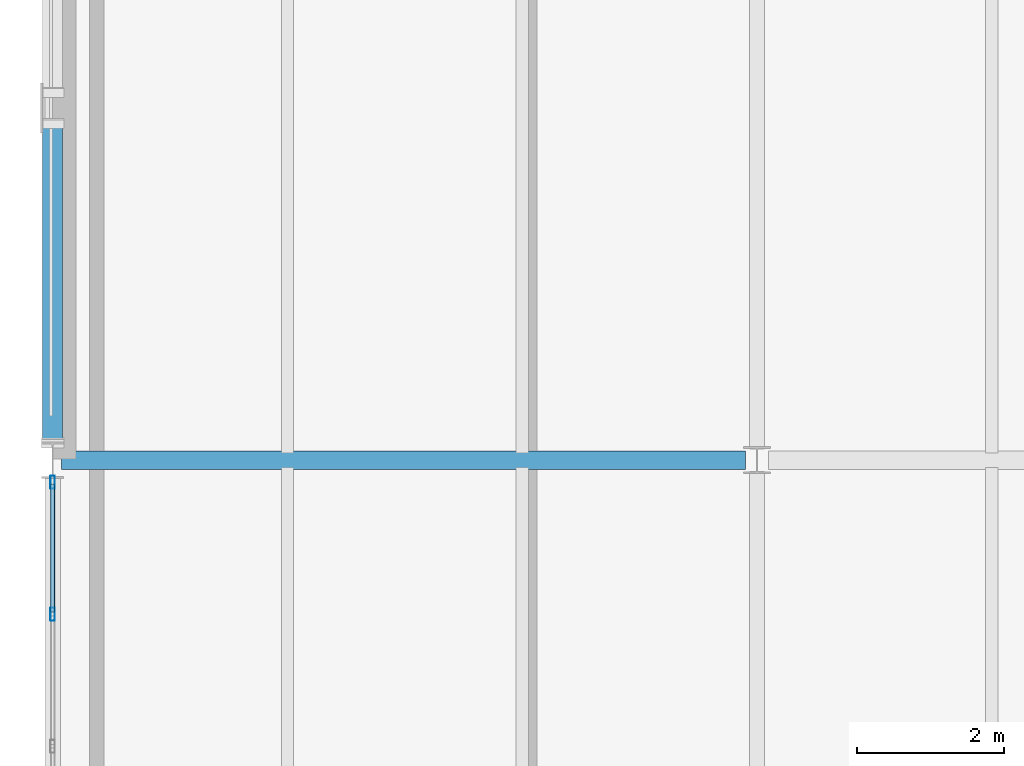
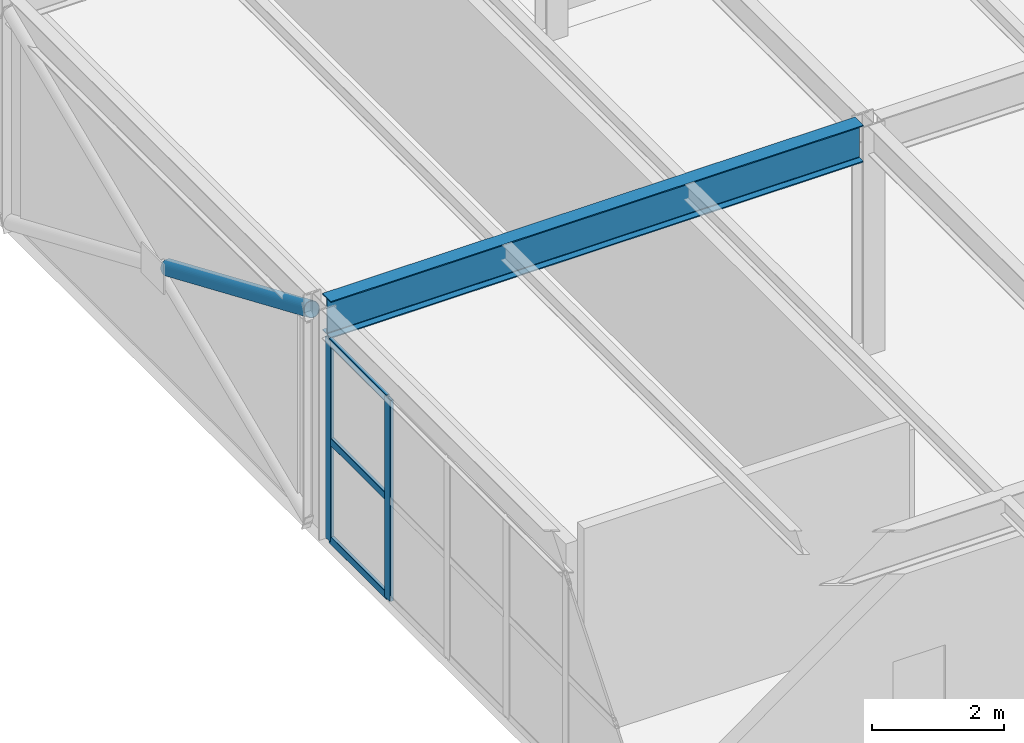
# One storey, part 22 of 170: 6 members, 1 beam, 1 element without a shape of its own.
"""IFC4 building model written with IfcOpenShell, lengths in metres."""

from ifc_helpers import new_model, si_unit, direction, frame, origin, origin_2d, place, context, subcontext, project, spatial, hollow_rectangle, hollow_circle, i_section, extrude, material, material_profile, profile_set, type_object, element, aggregate, save


model = new_model("IFC4")

# Units and contexts
model_context = context("Model", 3, precision=1e-05, world=origin(), true_north=direction((0.0, 1.0)))
body_context = subcontext(model_context, "Body", "Model", "MODEL_VIEW")
ifc_project = project(units=[si_unit("LENGTHUNIT", "METRE"), si_unit("AREAUNIT", "SQUARE_METRE"), si_unit("VOLUMEUNIT", "CUBIC_METRE"), si_unit("PLANEANGLEUNIT", "RADIAN"), si_unit("MASSUNIT", "GRAM", prefix="KILO")], contexts=[model_context])

# Site, building, storey
site_placement = place(None, origin())
site = spatial("IfcSite", under=ifc_project, at=site_placement, CompositionType="ELEMENT")
building_placement = place(site_placement, origin())
building = spatial("IfcBuilding", under=site, at=building_placement, Name="Coralgate Yard Interchange", CompositionType="ELEMENT")
storey_placement = place(building_placement, frame((0.0, 0.0, 6.0)))
storey = spatial("IfcBuildingStorey", under=building, at=storey_placement, Name="L01", CompositionType="ELEMENT", Elevation=6.0)

# Beam
ifc_material_1 = material(Name="Structural steel S355J2", Category="steel")
ifc_material_profile_1 = material_profile(ifc_material_1, i_section(OverallWidth=0.253662109375, OverallDepth=0.68359375, WebThickness=0.012451171875, FlangeThickness=0.01904296875, FilletRadius=0.01513671875, at=origin_2d()), Name="UB 686x254x140")
ifc_profile_set_1 = profile_set([ifc_material_profile_1], Name="Structural steel S355J2")
beam_type = type_object("IfcBeamType", Name="BM-SG-4", PredefinedType="BEAM", material=ifc_profile_set_1)
beam_placement = place(storey_placement, frame((0.1201171875, 19.199951171875, 3.908203125), z_axis=(1.0, 0.0, 0.0), x_axis=(0.0, 1.0, 0.0)))
element("IfcBeam", 1, at=beam_placement, inside=storey, type_object=beam_type, Name="L01 primary grid beam Y2 X0-1", PredefinedType="BEAM", context=body_context, shape_type="SweptSolid", body=[
    extrude(i_section(OverallWidth=0.253662109375, OverallDepth=0.68359375, WebThickness=0.012451171875, FlangeThickness=0.01904296875, FilletRadius=0.01513671875, at=origin_2d()), origin(), (0.0, 0.0, 1.0), 9.323486328125),
])

# Member
ifc_material_profile_2 = material_profile(ifc_material_1, hollow_circle(Radius=0.136474609375, WallThickness=0.010009765625, at=origin_2d()), Name="CHS 273x10")
ifc_profile_set_2 = profile_set([ifc_material_profile_2], Name="Structural steel S355J2")
member_type_1 = type_object("IfcMemberType", Name="MB-BR-1", PredefinedType="BRACE", material=ifc_profile_set_2)
member_1_placement = place(storey_placement, frame((0.0, 23.78125, 2.06884765625), z_axis=(0.0, -0.91910492298, 0.394012868512), x_axis=(1.0, 0.0, 0.0)))
element("IfcMember", 2, at=member_1_placement, inside=storey, type_object=member_type_1, Name="L01 split concentric X-brace W-B2", PredefinedType="BRACE", context=body_context, shape_type="SweptSolid", body=[
    extrude(hollow_circle(Radius=0.136474609375, WallThickness=0.010009765625, at=origin_2d()), origin(), (0.0, 0.0, 1.0), 4.723388671875),
])

# Curtain wall, members
ifc_material_2 = material(Name="Anodised coastal aluminium and solar-control low-E glass", Category="aluminium")
curtain_wall_type = type_object("IfcCurtainWallType", Name="CW-CW-L01-A", PredefinedType="NOTDEFINED", material=ifc_material_2)
curtain_wall_placement = place(storey_placement, origin())
curtain_wall = element("IfcCurtainWall", 3, at=curtain_wall_placement, inside=storey, type_object=curtain_wall_type, Name="L01 unitised curtain wall CW-L01-W-00-01", PredefinedType="NOTDEFINED")
ifc_material_3 = material(Name="Anodised coastal aluminium 6063-T6", Category="aluminium")
ifc_material_profile_3 = material_profile(ifc_material_3, hollow_rectangle(XDim=0.06005859375, YDim=0.179931640625, WallThickness=0.00390625, InnerFilletRadius=0.00390625, OuterFilletRadius=0.008056640625, at=origin_2d()), Name="ALU 60x180x4")
ifc_profile_set_3 = profile_set([ifc_material_profile_3], Name="Anodised coastal aluminium 6063-T6")
member_type_2 = type_object("IfcMemberType", Name="MB-MUL-180", PredefinedType="MULLION", material=ifc_profile_set_3)
member_2_placement = place(storey_placement, frame((0.0, 17.10009765625, 0.0), z_axis=(0.0, 0.0, 1.0), x_axis=(1.0, 0.0, 0.0)))
member_2 = element("IfcMember", 4, at=member_2_placement, type_object=member_type_2, Name="CW-L01-W-00-01 vertical mullion 5", PredefinedType="MULLION", context=body_context, shape_type="SweptSolid", body=[
    extrude(hollow_rectangle(XDim=0.06005859375, YDim=0.179931640625, WallThickness=0.00390625, InnerFilletRadius=0.00390625, OuterFilletRadius=0.008056640625, at=origin_2d()), origin(), (0.0, 0.0, 1.0), 3.716796875),
])
member_3_placement = place(storey_placement, frame((0.0, 18.89990234375, 0.0), z_axis=(0.0, 0.0, 1.0), x_axis=(1.0, 0.0, 0.0)))
member_3 = element("IfcMember", 5, at=member_3_placement, type_object=member_type_2, Name="CW-L01-W-00-01 vertical mullion 6", PredefinedType="MULLION", context=body_context, shape_type="SweptSolid", body=[
    extrude(hollow_rectangle(XDim=0.06005859375, YDim=0.179931640625, WallThickness=0.00390625, InnerFilletRadius=0.00390625, OuterFilletRadius=0.008056640625, at=origin_2d()), origin(), (0.0, 0.0, 1.0), 3.716796875),
])
ifc_material_profile_4 = material_profile(ifc_material_3, hollow_rectangle(XDim=0.06005859375, YDim=0.139892578125, WallThickness=0.00341796875, InnerFilletRadius=0.00341796875, OuterFilletRadius=0.007080078125, at=origin_2d()), Name="ALU 60x140x3.5")
ifc_profile_set_4 = profile_set([ifc_material_profile_4], Name="Anodised coastal aluminium 6063-T6")
member_type_3 = type_object("IfcMemberType", Name="MB-TRN-140", PredefinedType="USERDEFINED", material=ifc_profile_set_4)
member_4_placement = place(storey_placement, frame((0.0, 17.1298828125, 0.034912109375), z_axis=(0.0, 1.0, 0.0), x_axis=(-1.0, 0.0, 0.0)))
member_4 = element("IfcMember", 6, at=member_4_placement, type_object=member_type_3, Name="CW-L01-W-00-01 horizontal transom 5-1", ObjectType="TRANSOM", PredefinedType="USERDEFINED", context=body_context, shape_type="SweptSolid", body=[
    extrude(hollow_rectangle(XDim=0.06005859375, YDim=0.139892578125, WallThickness=0.00341796875, InnerFilletRadius=0.00341796875, OuterFilletRadius=0.007080078125, at=origin_2d()), origin(), (0.0, 0.0, 1.0), 1.740234375),
])
member_5_placement = place(storey_placement, frame((0.0, 17.1298828125, 1.8583984375), z_axis=(0.0, 1.0, 0.0), x_axis=(-1.0, 0.0, 0.0)))
member_5 = element("IfcMember", 7, at=member_5_placement, type_object=member_type_3, Name="CW-L01-W-00-01 horizontal transom 5-2", ObjectType="TRANSOM", PredefinedType="USERDEFINED", context=body_context, shape_type="SweptSolid", body=[
    extrude(hollow_rectangle(XDim=0.06005859375, YDim=0.139892578125, WallThickness=0.00341796875, InnerFilletRadius=0.00341796875, OuterFilletRadius=0.007080078125, at=origin_2d()), origin(), (0.0, 0.0, 1.0), 1.740234375),
])
member_6_placement = place(storey_placement, frame((0.0, 17.1298828125, 3.681884765625), z_axis=(0.0, 1.0, 0.0), x_axis=(-1.0, 0.0, 0.0)))
member_6 = element("IfcMember", 8, at=member_6_placement, type_object=member_type_3, Name="CW-L01-W-00-01 horizontal transom 5-3", ObjectType="TRANSOM", PredefinedType="USERDEFINED", context=body_context, shape_type="SweptSolid", body=[
    extrude(hollow_rectangle(XDim=0.06005859375, YDim=0.139892578125, WallThickness=0.00341796875, InnerFilletRadius=0.00341796875, OuterFilletRadius=0.007080078125, at=origin_2d()), origin(), (0.0, 0.0, 1.0), 1.740234375),
])
aggregate(curtain_wall, [member_2, member_3, member_4, member_5, member_6])

save(model, "model.ifc")
